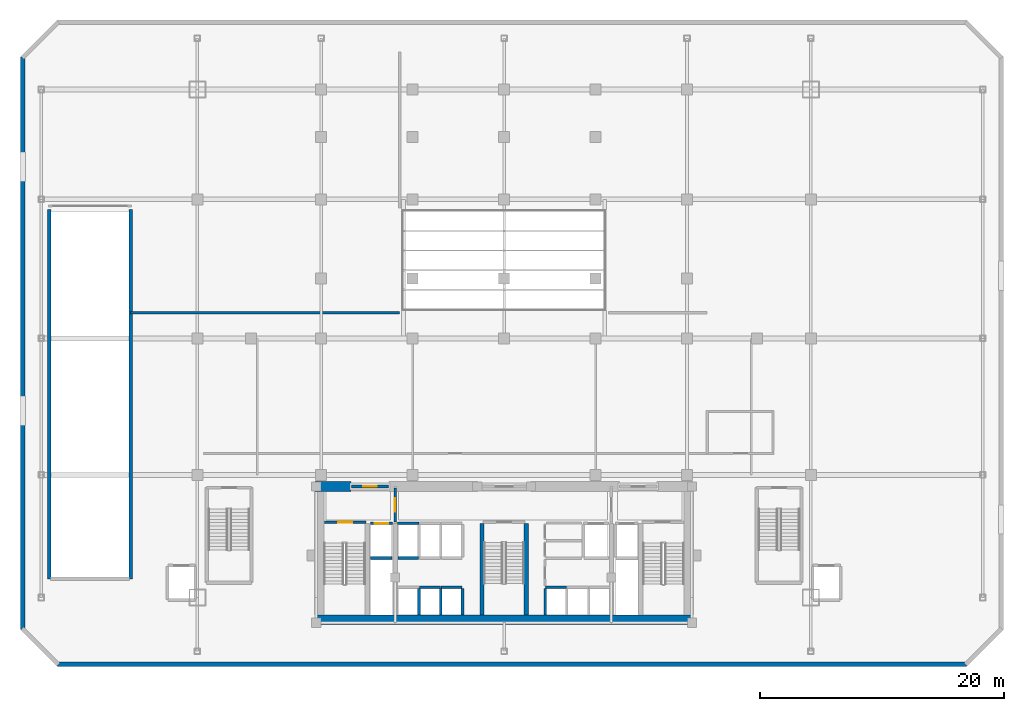
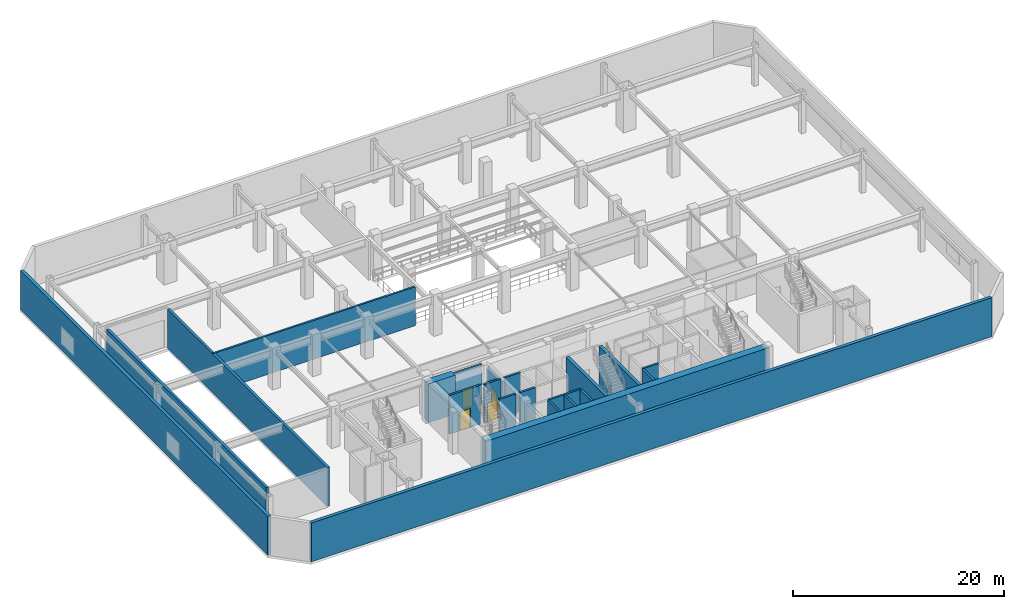
# One storey, part 5 of 10: 23 walls, 4 doors, 4 openings.
"""IFC4 building model written with IfcOpenShell, lengths in metres."""

from ifc_helpers import new_model, si_unit, direction, frame, frame_2d, origin, place, context, subcontext, project, spatial, rectangle, extrude, material, layer, layer_set, type_object, element, fill, save


model = new_model("IFC4")

# Units and contexts
model_context = context("Model", 3, precision=1e-05, world=origin(), true_north=direction((0.0, 1.0)))
body_context = subcontext(model_context, "Body", "Model", "MODEL_VIEW")
ifc_project = project(units=[si_unit("LENGTHUNIT", "METRE"), si_unit("AREAUNIT", "SQUARE_METRE"), si_unit("VOLUMEUNIT", "CUBIC_METRE"), si_unit("PLANEANGLEUNIT", "RADIAN"), si_unit("MASSUNIT", "GRAM", prefix="KILO")], contexts=[model_context])

# Site, building, storey
site_placement = place(None, origin())
site = spatial("IfcSite", under=ifc_project, at=site_placement, CompositionType="ELEMENT")
building_placement = place(site_placement, origin())
building = spatial("IfcBuilding", under=site, at=building_placement, Name="Ventersveld Concourse Tower", CompositionType="ELEMENT")
storey_placement = place(building_placement, frame((0.0, 0.0, 15.0)))
storey = spatial("IfcBuildingStorey", under=building, at=storey_placement, Name="L03", CompositionType="ELEMENT", Elevation=15.0)

# Walls
ifc_material_1 = material(Name="Concrete C60/75", Category="concrete")
ifc_layer_1 = layer(ifc_material_1, 0.35009765625)
ifc_layer_set_1 = layer_set([ifc_layer_1], Name="Concrete C60/75")
wall_type_1 = type_object("IfcWallType", Name="WL-CORE-350L", PredefinedType="SHEAR", material=ifc_layer_set_1)
for number, where, z_axis, x_axis, name in (
    (1, (26.93994140625, 0.919921875, 0.0), (0.0, 0.0, 1.0), (0.0, 1.0, 0.0), "L03 Core Internal Shear Web W-ST3-W"),
    (2, (30.56005859375, 0.919921875, 0.0), (0.0, 0.0, 1.0), (0.0, 1.0, 0.0), "L03 Core Internal Shear Web W-ST3-E"),
):
    element("IfcWall", number, at=place(storey_placement, frame(where, z_axis=z_axis, x_axis=x_axis)), inside=storey, type_object=wall_type_1, Name=name, PredefinedType="SHEAR", context=body_context, shape_type="SweptSolid", body=[
        extrude(rectangle(XDim=7.5, YDim=0.35009765625, at=frame_2d((3.75, 0.0))), origin(), (0.0, 0.0, 1.0), 4.5),
    ])
ifc_layer_2 = layer(ifc_material_1, 0.800048828125)
ifc_layer_set_2 = layer_set([ifc_layer_2], Name="Concrete C60/75")
wall_type_2 = type_object("IfcWallType", Name="WL-CORE-800", PredefinedType="SHEAR", material=ifc_layer_set_2)
wall_1_placement = place(storey_placement, frame((13.25, 0.52001953125, 0.0), z_axis=(0.0, 0.0, 1.0), x_axis=(1.0, 0.0, 0.0)))
element("IfcWall", 3, at=wall_1_placement, inside=storey, type_object=wall_type_2, Name="L03 Rear Core South Shear Wall", PredefinedType="SHEAR", context=body_context, shape_type="SweptSolid", body=[
    extrude(rectangle(XDim=31.0, YDim=0.800048828125, at=frame_2d((15.5, 0.0))), origin(), (0.0, 0.0, 1.0), 4.5),
])
wall_2_placement = place(storey_placement, frame((13.25, 11.449951171875, 0.0), z_axis=(0.0, 0.0, 1.0), x_axis=(1.0, 0.0, 0.0)))
element("IfcWall", 4, at=wall_2_placement, inside=storey, type_object=wall_type_2, Name="L03 Rear Core North Shear Wall NW", PredefinedType="SHEAR", context=body_context, shape_type="SweptSolid", body=[
    extrude(rectangle(XDim=2.949951171875, YDim=0.800048828125, at=frame_2d((1.47509765625, 0.0))), origin(), (0.0, 0.0, 1.0), 4.5),
])
ifc_material_2 = material(Name="Fire-rated autoclaved aerated masonry blockwork", Category="masonry")
ifc_layer_3 = layer(ifc_material_2, 0.199951171875)
ifc_layer_set_3 = layer_set([ifc_layer_3], Name="Fire-rated autoclaved aerated masonry blockwork")
wall_type_3 = type_object("IfcWallType", Name="WL-DEMISE-200", PredefinedType="PARTITIONING", material=ifc_layer_set_3)
wall_3_placement = place(storey_placement, frame((-1.89501953125, 25.699951171875, 0.0), z_axis=(0.0, 0.0, 1.0), x_axis=(1.0, 0.0, 0.0)))
element("IfcWall", 5, at=wall_3_placement, inside=storey, type_object=wall_type_3, Name="L03 Interior Partition SP-L03-PARK-S-SP-L03-PARK-W", PredefinedType="PARTITIONING", context=body_context, shape_type="SweptSolid", body=[
    extrude(rectangle(XDim=22.090087890625, YDim=0.199951171875, at=frame_2d((11.044921875, 0.0))), origin(), (0.0, 0.0, 1.0), 4.5),
])
ifc_layer_4 = layer(ifc_material_2, 0.219970703125)
ifc_layer_set_4 = layer_set([ifc_layer_4], Name="Fire-rated autoclaved aerated masonry blockwork")
wall_type_4 = type_object("IfcWallType", Name="WL-HOIST-220", PredefinedType="SOLIDWALL", material=ifc_layer_set_4)
wall_4_placement = place(storey_placement, frame((17.800048828125, 5.590087890625, 0.0), z_axis=(0.0, 0.0, 1.0), x_axis=(1.0, 0.0, 0.0)))
element("IfcWall", 6, at=wall_4_placement, inside=storey, type_object=wall_type_4, Name="L03 Lift Hoistway Back Wall FFL-01", PredefinedType="SOLIDWALL", context=body_context, shape_type="SweptSolid", body=[
    extrude(rectangle(XDim=1.780029296875, YDim=0.219970703125, at=frame_2d((0.89013671875, 0.0))), origin(), (0.0, 0.0, 1.0), 4.5),
])

# Wall, opening, door
wall_5_placement = place(storey_placement, frame((17.780029296875, 8.429931640625, 0.0), z_axis=(0.0, 0.0, 1.0), x_axis=(1.0, 0.0, 0.0)))
wall_5 = element("IfcWall", 7, at=wall_5_placement, inside=storey, type_object=wall_type_4, Name="L03 Lift Hoistway Front Wall FFL-01", PredefinedType="SOLIDWALL", context=body_context, shape_type="SweptSolid", body=[
    extrude(rectangle(XDim=1.820068359375, YDim=0.219970703125, at=frame_2d((0.91015625, 0.0))), origin(), (0.0, 0.0, 1.0), 4.5),
])
opening_1_placement = place(wall_5_placement, frame((0.35009765625, 0.0, 0.0)))
opening_1 = element("IfcOpeningElement", 8, at=opening_1_placement, cuts=wall_5, Name="Opening LD1", PredefinedType="OPENING", context=body_context, shape_type="SweptSolid", body=[
    extrude(rectangle(XDim=1.1201171875, YDim=2.25, at=frame_2d((0.56005859375, 1.125))), frame((0.0, 0.1201171875, 0.0), z_axis=(0.0, -1.0, 0.0), x_axis=(1.0, 0.0, 0.0)), (0.0, 0.0, 1.0), 0.239990234375),
])
ifc_material_3 = material(Name="Brushed stainless steel 316", Category="steel")
door_type_1 = type_object("IfcDoorType", Name="LD-FF-112", OperationType="SLIDING_TO_LEFT", PredefinedType="DOOR", material=ifc_material_3)
door_1_placement = place(opening_1_placement, origin())
door_1 = element("IfcDoor", 9, at=door_1_placement, inside=storey, type_object=door_type_1, Name="L03 Lift landing door FFL-01 (LD-L03-FFL-01)", OperationType="SLIDING_TO_LEFT", OverallHeight=2.25, OverallWidth=1.1201171875, PredefinedType="DOOR", context=body_context, shape_type="SweptSolid", body=[
    extrude(rectangle(XDim=1.1201171875, YDim=2.25, at=frame_2d((0.56005859375, 1.125))), frame((0.0, 0.02490234375, 0.0), z_axis=(0.0, -1.0, 0.0), x_axis=(1.0, 0.0, 0.0)), (0.0, 0.0, 1.0), 0.050048828125),
])
fill(opening_1, door_1)

# Walls
for number, where, z_axis, x_axis, name in (
    (10, (21.780029296875, 0.89990234375, 0.0), (0.0, 0.0, 1.0), (0.0, 1.0, 0.0), "L03 Lift Hoistway Side Wall PL-01E"),
    (11, (23.56005859375, 0.89990234375, 0.0), (0.0, 0.0, 1.0), (0.0, 1.0, 0.0), "L03 Lift Hoistway Side Wall PL-02E"),
):
    element("IfcWall", number, at=place(storey_placement, frame(where, z_axis=z_axis, x_axis=x_axis)), inside=storey, type_object=wall_type_4, Name=name, PredefinedType="SOLIDWALL", context=body_context, shape_type="SweptSolid", body=[
        extrude(rectangle(XDim=2.2001953125, YDim=0.219970703125, at=frame_2d((1.10009765625, 0.0))), origin(), (0.0, 0.0, 1.0), 4.5),
    ])
wall_6_placement = place(storey_placement, frame((21.800048828125, 3.179931640625, 0.0), z_axis=(0.0, 0.0, 1.0), x_axis=(1.0, 0.0, 0.0)))
element("IfcWall", 12, at=wall_6_placement, inside=storey, type_object=wall_type_4, Name="L03 Lift Hoistway Front Wall PL-02", PredefinedType="SOLIDWALL", context=body_context, shape_type="SweptSolid", body=[
    extrude(rectangle(XDim=1.739990234375, YDim=0.219970703125, at=frame_2d((0.8701171875, 0.0))), origin(), (0.0, 0.0, 1.0), 4.5),
])
wall_7_placement = place(storey_placement, frame((25.340087890625, 0.89990234375, 0.0), z_axis=(0.0, 0.0, 1.0), x_axis=(0.0, 1.0, 0.0)))
element("IfcWall", 13, at=wall_7_placement, inside=storey, type_object=wall_type_4, Name="L03 Lift Hoistway Side Wall PL-03E", PredefinedType="SOLIDWALL", context=body_context, shape_type="SweptSolid", body=[
    extrude(rectangle(XDim=2.2001953125, YDim=0.219970703125, at=frame_2d((1.10009765625, 0.0))), origin(), (0.0, 0.0, 1.0), 4.5),
])
wall_8_placement = place(storey_placement, frame((23.580078125, 3.179931640625, 0.0), z_axis=(0.0, 0.0, 1.0), x_axis=(1.0, 0.0, 0.0)))
element("IfcWall", 14, at=wall_8_placement, inside=storey, type_object=wall_type_4, Name="L03 Lift Hoistway Front Wall PL-03", PredefinedType="SOLIDWALL", context=body_context, shape_type="SweptSolid", body=[
    extrude(rectangle(XDim=1.739990234375, YDim=0.219970703125, at=frame_2d((0.8701171875, 0.0))), origin(), (0.0, 0.0, 1.0), 4.5),
])
wall_9_placement = place(storey_placement, frame((32.1201171875, 0.89990234375, 0.0), z_axis=(0.0, 0.0, 1.0), x_axis=(0.0, 1.0, 0.0)))
element("IfcWall", 15, at=wall_9_placement, inside=storey, type_object=wall_type_4, Name="L03 Lift Hoistway Side Wall PM-01W", PredefinedType="SOLIDWALL", context=body_context, shape_type="SweptSolid", body=[
    extrude(rectangle(XDim=2.2001953125, YDim=0.219970703125, at=frame_2d((1.10009765625, 0.0))), origin(), (0.0, 0.0, 1.0), 4.5),
])
wall_10_placement = place(storey_placement, frame((32.139892578125, 3.179931640625, 0.0), z_axis=(0.0, 0.0, 1.0), x_axis=(1.0, 0.0, 0.0)))
element("IfcWall", 16, at=wall_10_placement, inside=storey, type_object=wall_type_4, Name="L03 Lift Hoistway Front Wall PM-01", PredefinedType="SOLIDWALL", context=body_context, shape_type="SweptSolid", body=[
    extrude(rectangle(XDim=1.739990234375, YDim=0.219970703125, at=frame_2d((0.8701171875, 0.0))), origin(), (0.0, 0.0, 1.0), 4.5),
])
wall_11_placement = place(storey_placement, frame((20.0400390625, 5.590087890625, 0.0), z_axis=(0.0, 0.0, 1.0), x_axis=(1.0, 0.0, 0.0)))
element("IfcWall", 17, at=wall_11_placement, inside=storey, type_object=wall_type_4, Name="L03 Lift Hoistway Back Wall PH-01", PredefinedType="SOLIDWALL", context=body_context, shape_type="SweptSolid", body=[
    extrude(rectangle(XDim=1.699951171875, YDim=0.219970703125, at=frame_2d((0.85009765625, 0.0))), origin(), (0.0, 0.0, 1.0), 4.5),
])
wall_12_placement = place(storey_placement, frame((20.02001953125, 8.429931640625, 0.0), z_axis=(0.0, 0.0, 1.0), x_axis=(1.0, 0.0, 0.0)))
element("IfcWall", 18, at=wall_12_placement, inside=storey, type_object=wall_type_4, Name="L03 Lift Hoistway Front Wall PH-01", PredefinedType="SOLIDWALL", context=body_context, shape_type="SweptSolid", body=[
    extrude(rectangle(XDim=1.739990234375, YDim=0.219970703125, at=frame_2d((0.8701171875, 0.0))), origin(), (0.0, 0.0, 1.0), 4.5),
])

# Wall, opening, door
wall_13_placement = place(storey_placement, frame((14.0400390625, 8.52001953125, 0.0), z_axis=(0.0, 0.0, 1.0), x_axis=(1.0, 0.0, 0.0)))
wall_13 = element("IfcWall", 19, at=wall_13_placement, inside=storey, type_object=wall_type_4, Name="L03 Escape Stair ST01 Fire Wall", PredefinedType="SOLIDWALL", context=body_context, shape_type="SweptSolid", body=[
    extrude(rectangle(XDim=3.39990234375, YDim=0.219970703125, at=frame_2d((1.699951171875, 0.0))), origin(), (0.0, 0.0, 1.0), 4.5),
])
opening_2_placement = place(wall_13_placement, frame((1.125, 0.0, 0.0)))
opening_2 = element("IfcOpeningElement", 20, at=opening_2_placement, cuts=wall_13, Name="Opening FD1", PredefinedType="OPENING", context=body_context, shape_type="SweptSolid", body=[
    extrude(rectangle(XDim=1.14990234375, YDim=2.199951171875, at=frame_2d((0.574951171875, 1.10009765625))), frame((0.0, 0.1201171875, 0.0), z_axis=(0.0, -1.0, 0.0), x_axis=(1.0, 0.0, 0.0)), (0.0, 0.0, 1.0), 0.239990234375),
])
ifc_material_4 = material(Name="Galvanised painted steel", Category="steel")
door_type_2 = type_object("IfcDoorType", Name="DR-STAIR-115", OperationType="NOTDEFINED", PredefinedType="DOOR", material=ifc_material_4)
door_2_placement = place(opening_2_placement, origin())
door_2 = element("IfcDoor", 21, at=door_2_placement, inside=storey, type_object=door_type_2, Name="L03 Escape Stair Door ST01 (SD-L03-0119)", OperationType="SINGLE_SWING_LEFT", OverallHeight=2.199951171875, OverallWidth=1.14990234375, PredefinedType="DOOR", context=body_context, shape_type="SweptSolid", body=[
    extrude(rectangle(XDim=1.14990234375, YDim=2.199951171875, at=frame_2d((0.574951171875, 1.10009765625))), frame((0.0, 0.02490234375, 0.0), z_axis=(0.0, -1.0, 0.0), x_axis=(1.0, 0.0, 0.0)), (0.0, 0.0, 1.0), 0.050048828125),
])
fill(opening_2, door_2)

wall_14_placement = place(storey_placement, frame((19.820068359375, 8.52001953125, 0.0), z_axis=(0.0, 0.0, 1.0), x_axis=(0.0, 1.0, 0.0)))
wall_14 = element("IfcWall", 22, at=wall_14_placement, inside=storey, type_object=wall_type_4, Name="L03 Firefighting Lobby Smoke-Stop Wall FFLW-SEP", PredefinedType="SOLIDWALL", context=body_context, shape_type="SweptSolid", body=[
    extrude(rectangle(XDim=2.800048828125, YDim=0.219970703125, at=frame_2d((1.39990234375, 0.0))), origin(), (0.0, 0.0, 1.0), 3.95556640625),
])
opening_3_placement = place(wall_14_placement, frame((0.85009765625, 0.0, 0.0)))
opening_3 = element("IfcOpeningElement", 23, at=opening_3_placement, cuts=wall_14, Name="Opening FD2", PredefinedType="OPENING", context=body_context, shape_type="SweptSolid", body=[
    extrude(rectangle(XDim=1.10009765625, YDim=2.199951171875, at=frame_2d((0.550048828125, 1.10009765625))), frame((0.0, 0.1201171875, 0.0), z_axis=(0.0, -1.0, 0.0), x_axis=(1.0, 0.0, 0.0)), (0.0, 0.0, 1.0), 0.239990234375),
])
door_type_3 = type_object("IfcDoorType", Name="DR-FFL-110", OperationType="NOTDEFINED", PredefinedType="DOOR", material=ifc_material_4)
door_3_placement = place(opening_3_placement, origin())
door_3 = element("IfcDoor", 24, at=door_3_placement, inside=storey, type_object=door_type_3, Name="L03 Firefighting Lobby Door FFLW-SEP (FD-L03-0124)", OperationType="SINGLE_SWING_LEFT", OverallHeight=2.199951171875, OverallWidth=1.10009765625, PredefinedType="DOOR", context=body_context, shape_type="SweptSolid", body=[
    extrude(rectangle(XDim=1.10009765625, YDim=2.199951171875, at=frame_2d((0.550048828125, 1.10009765625))), frame((0.0, 0.02490234375, 0.0), z_axis=(0.0, -1.0, 0.0), x_axis=(1.0, 0.0, 0.0)), (0.0, 0.0, 1.0), 0.050048828125),
])
fill(opening_3, door_3)

wall_15_placement = place(storey_placement, frame((16.22998046875, 11.449951171875, 0.0), z_axis=(0.0, 0.0, 1.0), x_axis=(1.0, 0.0, 0.0)))
wall_15 = element("IfcWall", 25, at=wall_15_placement, inside=storey, type_object=wall_type_4, Name="L03 Core North Fire Portal FFLW-OUT", PredefinedType="SOLIDWALL", context=body_context, shape_type="SweptSolid", body=[
    extrude(rectangle(XDim=3.0400390625, YDim=0.219970703125, at=frame_2d((1.52001953125, 0.0))), origin(), (0.0, 0.0, 1.0), 4.5),
])
opening_4_placement = place(wall_15_placement, frame((0.969970703125, 0.0, 0.0)))
opening_4 = element("IfcOpeningElement", 26, at=opening_4_placement, cuts=wall_15, Name="Opening FD2", PredefinedType="OPENING", context=body_context, shape_type="SweptSolid", body=[
    extrude(rectangle(XDim=1.10009765625, YDim=2.199951171875, at=frame_2d((0.550048828125, 1.10009765625))), frame((0.0, 0.1201171875, 0.0), z_axis=(0.0, -1.0, 0.0), x_axis=(1.0, 0.0, 0.0)), (0.0, 0.0, 1.0), 0.239990234375),
])
door_4_placement = place(opening_4_placement, origin())
door_4 = element("IfcDoor", 27, at=door_4_placement, inside=storey, type_object=door_type_3, Name="L03 Core Lobby Fire Door FFLW-OUT (FD-L03-0126)", OperationType="SINGLE_SWING_RIGHT", OverallHeight=2.199951171875, OverallWidth=1.10009765625, PredefinedType="DOOR", context=body_context, shape_type="SweptSolid", body=[
    extrude(rectangle(XDim=1.10009765625, YDim=2.199951171875, at=frame_2d((0.550048828125, 1.10009765625))), frame((0.0, 0.02490234375, 0.0), z_axis=(0.0, -1.0, 0.0), x_axis=(1.0, 0.0, 0.0)), (0.0, 0.0, 1.0), 0.050048828125),
])
fill(opening_4, door_4)

# Walls
ifc_material_5 = material(Name="Precast concrete C45/55", Category="concrete")
ifc_layer_5 = layer(ifc_material_5, 0.35009765625)
ifc_layer_set_5 = layer_set([ifc_layer_5], Name="Precast concrete C45/55")
wall_type_5 = type_object("IfcWallType", Name="WL-PREC-350", PredefinedType="SOLIDWALL", material=ifc_layer_set_5)
wall_16_placement = place(storey_placement, frame((-7.860107421875, -3.1201171875, 0.0), z_axis=(0.0, 0.0, 1.0), x_axis=(1.0, 0.0, 0.0)))
element("IfcWall", 28, at=wall_16_placement, inside=storey, type_object=wall_type_5, Name="L03 Podium Precast Perimeter Wall 01", PredefinedType="SOLIDWALL", context=body_context, shape_type="SweptSolid", body=[
    extrude(rectangle(XDim=74.52001953125, YDim=0.35009765625, at=frame_2d((37.260009765625, 0.0))), origin(), (0.0, 0.0, 1.0), 4.5),
])
wall_17_placement = place(storey_placement, frame((-10.719970703125, 46.659912109375, 0.0), z_axis=(0.0, 0.0, 1.0), x_axis=(0.0, -1.0, 0.0)))
element("IfcWall", 29, at=wall_17_placement, inside=storey, type_object=wall_type_5, Name="L03 Podium Precast Perimeter Wall 07", PredefinedType="SOLIDWALL", context=body_context, shape_type="SweptSolid", body=[
    extrude(rectangle(XDim=46.919921875, YDim=0.35009765625, at=frame_2d((23.4599609375, 0.0))), origin(), (0.0, 0.0, 1.0), 4.5),
])
ifc_material_6 = material(Name="Concrete C50/60", Category="concrete")
ifc_layer_6 = layer(ifc_material_6, 0.280029296875)
ifc_layer_set_6 = layer_set([ifc_layer_6], Name="Concrete C50/60")
wall_type_6 = type_object("IfcWallType", Name="WL-SHAFT-280", PredefinedType="SHEAR", material=ifc_layer_set_6)
for number, where, z_axis, x_axis, name in (
    (30, (-8.5400390625, 3.8798828125, 0.0), (0.0, 0.0, 1.0), (0.0, 1.0, 0.0), "L03 Ramp Structural Shaft Wall RMPW-W"),
    (31, (-1.860107421875, 3.8798828125, 0.0), (0.0, 0.0, 1.0), (0.0, 1.0, 0.0), "L03 Ramp Structural Shaft Wall RMPW-E"),
):
    element("IfcWall", number, at=place(storey_placement, frame(where, z_axis=z_axis, x_axis=x_axis)), inside=storey, type_object=wall_type_6, Name=name, PredefinedType="SHEAR", context=body_context, shape_type="SweptSolid", body=[
        extrude(rectangle(XDim=30.27001953125, YDim=0.280029296875, at=frame_2d((15.135009765625, 0.0))), origin(), (0.0, 0.0, 1.0), 4.5),
    ])

save(model, "model.ifc")
